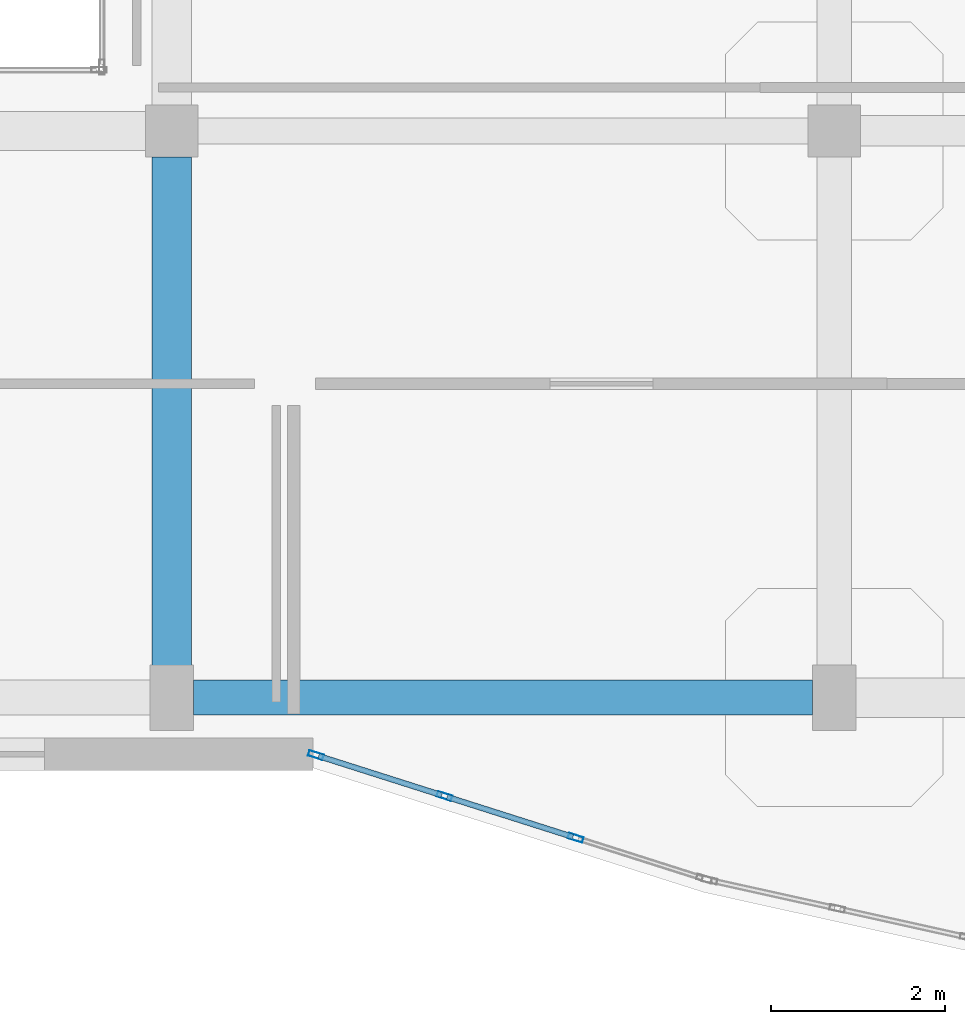
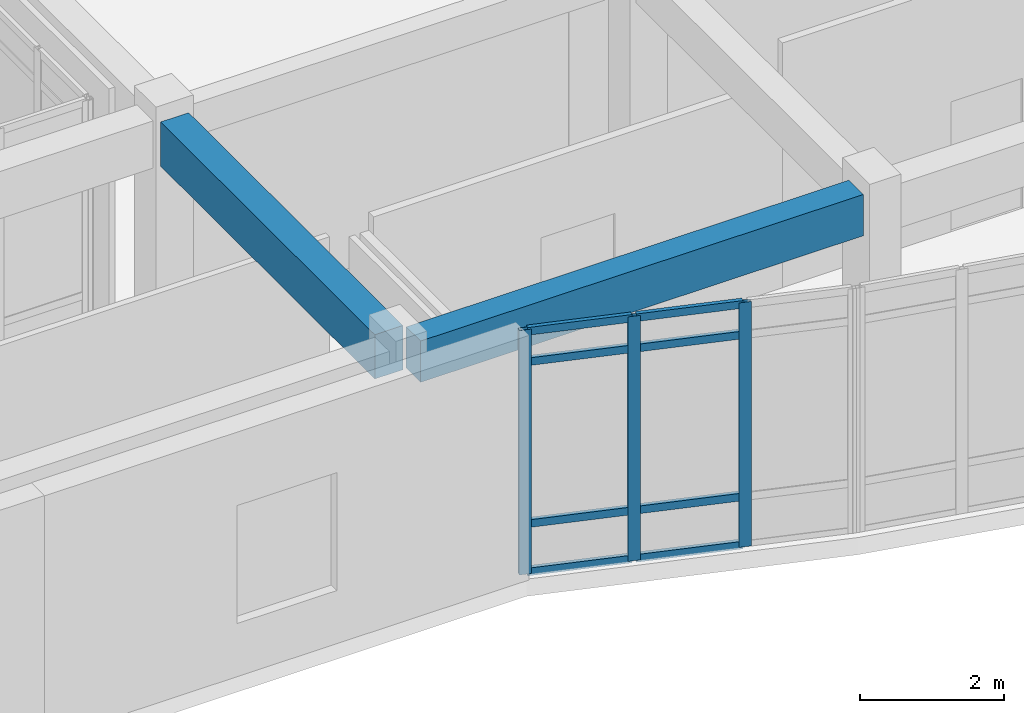
# One storey, part 68 of 142: 11 members, 2 beams, 1 element without a shape of its own.
"""IFC4 building model written with IfcOpenShell, lengths in metres."""

from ifc_helpers import new_model, si_unit, direction, frame, origin, origin_2d, place, context, subcontext, project, spatial, rectangle, hollow_rectangle, extrude, material, layer, layer_set, material_profile, profile_set, type_object, element, aggregate, save


model = new_model("IFC4")

# Units and contexts
model_context = context("Model", 3, precision=1e-05, world=origin(), true_north=direction((0.0, 1.0)))
body_context = subcontext(model_context, "Body", "Model", "MODEL_VIEW")
ifc_project = project(units=[si_unit("LENGTHUNIT", "METRE"), si_unit("AREAUNIT", "SQUARE_METRE"), si_unit("VOLUMEUNIT", "CUBIC_METRE"), si_unit("PLANEANGLEUNIT", "RADIAN"), si_unit("MASSUNIT", "GRAM", prefix="KILO")], contexts=[model_context])

# Site, building, storey
site_placement = place(None, origin())
site = spatial("IfcSite", under=ifc_project, at=site_placement, CompositionType="ELEMENT")
building_placement = place(site_placement, origin())
building = spatial("IfcBuilding", under=site, at=building_placement, Name="Valcora Specialist Clinic", CompositionType="ELEMENT")
storey_placement = place(building_placement, frame((0.0, 0.0, 5.10009765625)))
storey = spatial("IfcBuildingStorey", under=building, at=storey_placement, Name="L01", CompositionType="ELEMENT", Elevation=5.10009765625)

# Beams
ifc_material_1 = material(Name="Concrete C40/50", Category="concrete")
ifc_material_profile_1 = material_profile(ifc_material_1, rectangle(XDim=0.39990234375, YDim=0.699951171875, at=origin_2d()), Name="RC-BM-400X700")
ifc_profile_set_1 = profile_set([ifc_material_profile_1], Name="Concrete C40/50")
beam_type_1 = type_object("IfcBeamType", Name="TY-BM-RC400X700", PredefinedType="BEAM", material=ifc_profile_set_1)
beam_1_placement = place(storey_placement, frame((91.050048828125, 74.800048828125, 3.794921875), z_axis=(1.0, 0.0, 0.0), x_axis=(0.0, 1.0, 0.0)))
element("IfcBeam", 1, at=beam_1_placement, inside=storey, type_object=beam_type_1, Name="Beam BM-L01-0616", PredefinedType="BEAM", context=body_context, shape_type="SweptSolid", body=[
    extrude(rectangle(XDim=0.39990234375, YDim=0.699951171875, at=origin_2d()), origin(), (0.0, 0.0, 1.0), 7.099853515625),
])
ifc_material_profile_2 = material_profile(ifc_material_1, rectangle(XDim=0.449951171875, YDim=0.75, at=origin_2d()), Name="RC-BM-450X750")
ifc_profile_set_2 = profile_set([ifc_material_profile_2], Name="Concrete C40/50")
beam_type_2 = type_object("IfcBeamType", Name="TY-BM-RC450X750", PredefinedType="BEAM", material=ifc_profile_set_2)
beam_2_placement = place(storey_placement, frame((90.800048828125, 75.050048828125, 3.77001953125), z_axis=(0.0, 1.0, 0.0), x_axis=(-1.0, 0.0, 0.0)))
element("IfcBeam", 2, at=beam_2_placement, inside=storey, type_object=beam_type_2, Name="Beam BM-L01-0669", PredefinedType="BEAM", context=body_context, shape_type="SweptSolid", body=[
    extrude(rectangle(XDim=0.449951171875, YDim=0.75, at=origin_2d()), origin(), (0.0, 0.0, 1.0), 5.949951171875),
])

# Curtain wall, members
ifc_material_2 = material(Name="Anodized Bronze Aluminium 6063-T6", Category="aluminium")
ifc_layer = layer(ifc_material_2, 0.175048828125)
ifc_layer_set = layer_set([ifc_layer], Name="Anodized Bronze Aluminium 6063-T6")
curtain_wall_type = type_object("IfcCurtainWallType", Name="TY-CW-ARC44", PredefinedType="NOTDEFINED", material=ifc_layer_set)
curtain_wall_placement = place(storey_placement, origin())
curtain_wall = element("IfcCurtainWall", 3, at=curtain_wall_placement, inside=storey, type_object=curtain_wall_type, Name="Curtain wall CW-L01-060", PredefinedType="NOTDEFINED")
ifc_material_profile_3 = material_profile(ifc_material_2, hollow_rectangle(XDim=0.06494140625, YDim=0.175048828125, WallThickness=0.00390625, at=origin_2d()), Name="AL-MUL-65X175")
ifc_profile_set_3 = profile_set([ifc_material_profile_3], Name="Anodized Bronze Aluminium 6063-T6")
member_type_1 = type_object("IfcMemberType", Name="TY-CWM-65X175", PredefinedType="MULLION", material=ifc_profile_set_3)
member_1_placement = place(storey_placement, frame((95.433837890625, 73.19189453125, 0.0), z_axis=(0.0, 0.0, 1.0), x_axis=(-0.303233270958, -0.952916356972, 0.0)))
member_1 = element("IfcMember", 4, at=member_1_placement, type_object=member_type_1, Name="CW-ARC-44 mullion 2", PredefinedType="MULLION", context=body_context, shape_type="SweptSolid", body=[
    extrude(hollow_rectangle(XDim=0.06494140625, YDim=0.175048828125, WallThickness=0.00390625, at=origin_2d()), origin(), (0.0, 0.0, 1.0), 4.14501953125),
])
member_2_placement = place(storey_placement, frame((93.928466796875, 73.6708984375, 0.0), z_axis=(0.0, 0.0, 1.0), x_axis=(-0.303233270958, -0.952916356972, 0.0)))
member_2 = element("IfcMember", 5, at=member_2_placement, type_object=member_type_1, Name="CW-ARC-44 mullion 3", PredefinedType="MULLION", context=body_context, shape_type="SweptSolid", body=[
    extrude(hollow_rectangle(XDim=0.06494140625, YDim=0.175048828125, WallThickness=0.00390625, at=origin_2d()), origin(), (0.0, 0.0, 1.0), 4.14501953125),
])
member_3_placement = place(storey_placement, frame((92.454345703125, 74.14013671875, 0.0), z_axis=(0.0, 0.0, 1.0), x_axis=(-0.303233270958, -0.952916356972, 0.0)))
member_3 = element("IfcMember", 6, at=member_3_placement, type_object=member_type_1, Name="CW-ARC-44 mullion 4", PredefinedType="MULLION", context=body_context, shape_type="SweptSolid", body=[
    extrude(hollow_rectangle(XDim=0.06494140625, YDim=0.175048828125, WallThickness=0.00390625, at=origin_2d()), origin(), (0.0, 0.0, 1.0), 4.14501953125),
])
ifc_material_profile_4 = material_profile(ifc_material_2, hollow_rectangle(XDim=0.06494140625, YDim=0.1298828125, WallThickness=0.00390625, at=origin_2d()), Name="AL-TRN-65X130")
ifc_profile_set_4 = profile_set([ifc_material_profile_4], Name="Anodized Bronze Aluminium 6063-T6")
member_type_2 = type_object("IfcMemberType", Name="TY-CWT-65X130", PredefinedType="USERDEFINED", material=ifc_profile_set_4)
member_4_placement = place(storey_placement, frame((95.40283203125, 73.201904296875, 0.032470703125), z_axis=(-0.952930013692, 0.303190351109, 0.0), x_axis=(-0.303190351109, -0.952930013692, 0.0)))
member_4 = element("IfcMember", 7, at=member_4_placement, type_object=member_type_2, Name="CW-ARC-44 transom 2.1", ObjectType="TRANSOM", PredefinedType="USERDEFINED", context=body_context, shape_type="SweptSolid", body=[
    extrude(hollow_rectangle(XDim=0.06494140625, YDim=0.1298828125, WallThickness=0.00390625, at=origin_2d()), origin(), (0.0, 0.0, 1.0), 1.5146484375),
])
member_5_placement = place(storey_placement, frame((95.40283203125, 73.201904296875, 0.849853515625), z_axis=(-0.952930013692, 0.303190351109, 0.0), x_axis=(-0.303190351109, -0.952930013692, 0.0)))
member_5 = element("IfcMember", 8, at=member_5_placement, type_object=member_type_2, Name="CW-ARC-44 transom 2.2", ObjectType="TRANSOM", PredefinedType="USERDEFINED", context=body_context, shape_type="SweptSolid", body=[
    extrude(hollow_rectangle(XDim=0.06494140625, YDim=0.1298828125, WallThickness=0.00390625, at=origin_2d()), origin(), (0.0, 0.0, 1.0), 1.5146484375),
])
member_6_placement = place(storey_placement, frame((95.40283203125, 73.201904296875, 3.594970703125), z_axis=(-0.952930013692, 0.303190351109, 0.0), x_axis=(-0.303190351109, -0.952930013692, 0.0)))
member_6 = element("IfcMember", 9, at=member_6_placement, type_object=member_type_2, Name="CW-ARC-44 transom 2.3", ObjectType="TRANSOM", PredefinedType="USERDEFINED", context=body_context, shape_type="SweptSolid", body=[
    extrude(hollow_rectangle(XDim=0.06494140625, YDim=0.1298828125, WallThickness=0.00390625, at=origin_2d()), origin(), (0.0, 0.0, 1.0), 1.5146484375),
])
member_7_placement = place(storey_placement, frame((95.40283203125, 73.201904296875, 4.1123046875), z_axis=(-0.952930013692, 0.303190351109, 0.0), x_axis=(-0.303190351109, -0.952930013692, 0.0)))
member_7 = element("IfcMember", 10, at=member_7_placement, type_object=member_type_2, Name="CW-ARC-44 transom 2.4", ObjectType="TRANSOM", PredefinedType="USERDEFINED", context=body_context, shape_type="SweptSolid", body=[
    extrude(hollow_rectangle(XDim=0.06494140625, YDim=0.1298828125, WallThickness=0.00390625, at=origin_2d()), origin(), (0.0, 0.0, 1.0), 1.5146484375),
])
member_8_placement = place(storey_placement, frame((93.897705078125, 73.680908203125, 0.032470703125), z_axis=(-0.952910635624, 0.303251249816, 0.0), x_axis=(-0.303251249816, -0.952910635624, 0.0)))
member_8 = element("IfcMember", 11, at=member_8_placement, type_object=member_type_2, Name="CW-ARC-44 transom 3.1", ObjectType="TRANSOM", PredefinedType="USERDEFINED", context=body_context, shape_type="SweptSolid", body=[
    extrude(hollow_rectangle(XDim=0.06494140625, YDim=0.1298828125, WallThickness=0.00390625, at=origin_2d()), origin(), (0.0, 0.0, 1.0), 1.482177734375),
])
member_9_placement = place(storey_placement, frame((93.897705078125, 73.680908203125, 0.849853515625), z_axis=(-0.952910635624, 0.303251249816, 0.0), x_axis=(-0.303251249816, -0.952910635624, 0.0)))
member_9 = element("IfcMember", 12, at=member_9_placement, type_object=member_type_2, Name="CW-ARC-44 transom 3.2", ObjectType="TRANSOM", PredefinedType="USERDEFINED", context=body_context, shape_type="SweptSolid", body=[
    extrude(hollow_rectangle(XDim=0.06494140625, YDim=0.1298828125, WallThickness=0.00390625, at=origin_2d()), origin(), (0.0, 0.0, 1.0), 1.482177734375),
])
member_10_placement = place(storey_placement, frame((93.897705078125, 73.680908203125, 3.594970703125), z_axis=(-0.952910635624, 0.303251249816, 0.0), x_axis=(-0.303251249816, -0.952910635624, 0.0)))
member_10 = element("IfcMember", 13, at=member_10_placement, type_object=member_type_2, Name="CW-ARC-44 transom 3.3", ObjectType="TRANSOM", PredefinedType="USERDEFINED", context=body_context, shape_type="SweptSolid", body=[
    extrude(hollow_rectangle(XDim=0.06494140625, YDim=0.1298828125, WallThickness=0.00390625, at=origin_2d()), origin(), (0.0, 0.0, 1.0), 1.482177734375),
])
member_11_placement = place(storey_placement, frame((93.897705078125, 73.680908203125, 4.1123046875), z_axis=(-0.952910635624, 0.303251249816, 0.0), x_axis=(-0.303251249816, -0.952910635624, 0.0)))
member_11 = element("IfcMember", 14, at=member_11_placement, type_object=member_type_2, Name="CW-ARC-44 transom 3.4", ObjectType="TRANSOM", PredefinedType="USERDEFINED", context=body_context, shape_type="SweptSolid", body=[
    extrude(hollow_rectangle(XDim=0.06494140625, YDim=0.1298828125, WallThickness=0.00390625, at=origin_2d()), origin(), (0.0, 0.0, 1.0), 1.482177734375),
])
aggregate(curtain_wall, [member_1, member_2, member_3, member_4, member_5, member_6, member_7, member_8, member_9, member_10, member_11])

save(model, "model.ifc")
